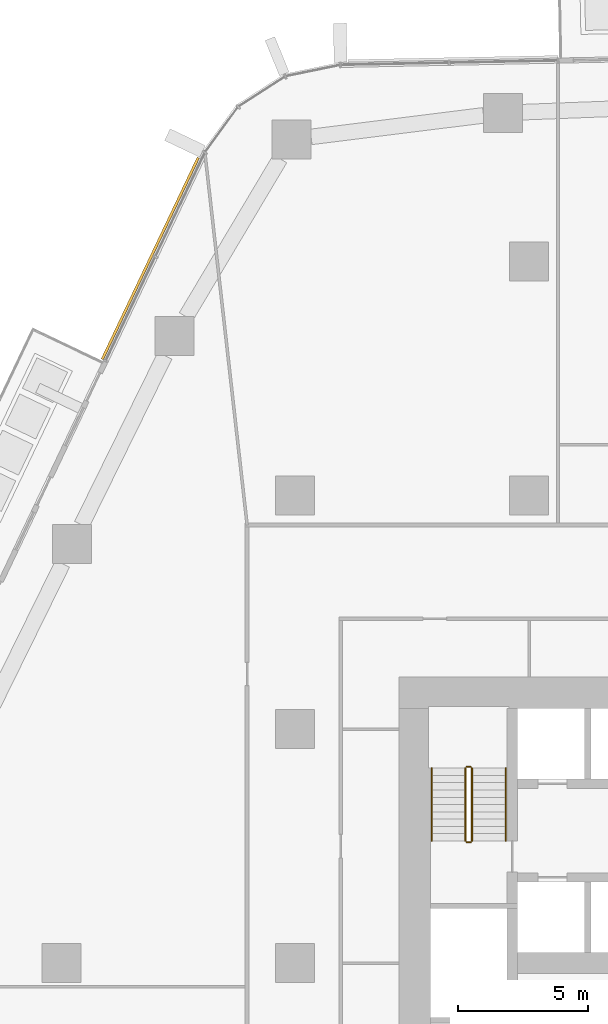
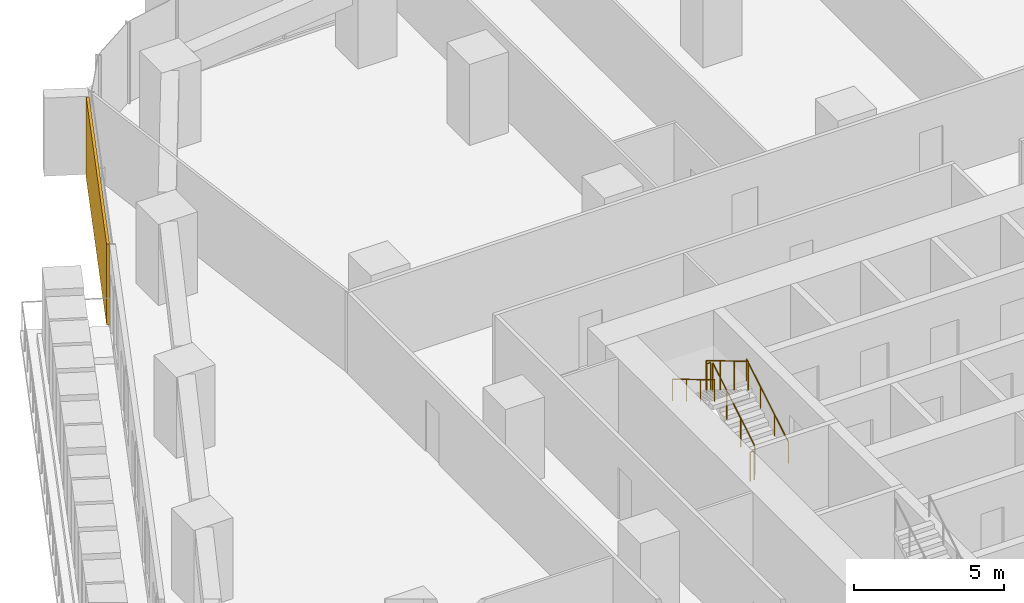
# One storey, part 22 of 24: 6 railings, 1 covering, 1 element without a shape of its own.
"""IFC4 building model written with IfcOpenShell, lengths in metres."""

from ifc_helpers import new_model, si_unit, direction, frame, origin, origin_2d, place, context, subcontext, project, spatial, rectangle, circle, extrude, material, layer, layer_set, type_object, element, aggregate, save


model = new_model("IFC4")

# Units and contexts
model_context = context("Model", 3, precision=1e-05, world=origin(), true_north=direction((0.0, 1.0)))
body_context = subcontext(model_context, "Body", "Model", "MODEL_VIEW")
ifc_project = project(units=[si_unit("LENGTHUNIT", "METRE"), si_unit("AREAUNIT", "SQUARE_METRE"), si_unit("VOLUMEUNIT", "CUBIC_METRE"), si_unit("PLANEANGLEUNIT", "RADIAN"), si_unit("MASSUNIT", "GRAM", prefix="KILO")], contexts=[model_context])

# Site, building, storey
site_placement = place(None, origin())
site = spatial("IfcSite", under=ifc_project, at=site_placement, CompositionType="ELEMENT")
building_placement = place(site_placement, origin())
building = spatial("IfcBuilding", under=site, at=building_placement, Name="Dongbaek Canopy Tower", CompositionType="ELEMENT")
storey_placement = place(building_placement, frame((0.0, 0.0, 47.699951171875)))
storey = spatial("IfcBuildingStorey", under=building, at=storey_placement, Name="L07", CompositionType="ELEMENT", Elevation=47.699951171875)

# Curtain wall, covering
ifc_material_1 = material(Name="Aluminium 6063-T6 pale anodised", Category="aluminium")
ifc_layer_1 = layer(ifc_material_1, 0.199951171875)
ifc_layer_set_1 = layer_set([ifc_layer_1], Name="CW-1 unitised tower curtain wall")
curtain_wall_type = type_object("IfcCurtainWallType", Name="CW-1 unitised tower curtain wall", PredefinedType="NOTDEFINED", material=ifc_layer_set_1)
curtain_wall_placement = place(storey_placement, origin())
curtain_wall = element("IfcCurtainWall", 1, at=curtain_wall_placement, inside=storey, type_object=curtain_wall_type, Name="CW-1 curtain wall F2.1", PredefinedType="NOTDEFINED")
ifc_material_2 = material(Name="Perforated aluminium 6063-T6 pale metal screen", Category="aluminium")
ifc_layer_2 = layer(ifc_material_2, 0.10009765625)
ifc_layer_set_2 = layer_set([ifc_layer_2], Name="Facet screen FS1 100 pale metal")
covering_type = type_object("IfcCoveringType", Name="Facet screen FS1 100 pale metal", PredefinedType="CLADDING", material=ifc_layer_set_2)
covering_placement = place(storey_placement, frame((-23.57958984375, 27.111083984375, 0.0), z_axis=(0.0, 0.0, 1.0), x_axis=(-0.429789468049, -0.902929129641, 0.0)))
covering = element("IfcCovering", 2, at=covering_placement, type_object=covering_type, Name="Facet screen L07 F2", PredefinedType="CLADDING", context=body_context, shape_type="SweptSolid", body=[
    extrude(rectangle(XDim=8.594970703125, YDim=0.10009765625, at=origin_2d()), origin(), (0.0, 0.0, 1.0), 3.300048828125),
])
aggregate(curtain_wall, [covering])

# Railings
ifc_material_3 = material(Name="Stainless steel tube and balusters", Category="steel")
railing_type_1 = type_object("IfcRailingType", Name="Stair guard 1200", PredefinedType="GUARDRAIL", material=ifc_material_3)
railing_1_placement = place(storey_placement, frame((-11.199951171875, 4.699951171875, 0.168212890625)))
element("IfcRailing", 3, at=railing_1_placement, inside=storey, type_object=railing_type_1, Name="L07 ST-C stair guard 1", PredefinedType="GUARDRAIL", context=body_context, shape_type="SweptSolid", body=[
    extrude(circle(Radius=0.02392578125, at=origin_2d()), frame((0.0, 0.0, 1.17578125), z_axis=(0.0, 0.857242210791, 0.514913383045), x_axis=(-1.0, 0.0, 0.0)), (0.0, 0.0, 1.0), 3.266357421875),
    extrude(circle(Radius=0.02099609375, at=origin_2d()), origin(), (0.0, 0.0, 1.0), 1.15185546875),
    extrude(circle(Radius=0.02099609375, at=origin_2d()), frame((0.0, 0.933349609375, 0.560546875)), (0.0, 0.0, 1.0), 1.15185546875),
    extrude(circle(Radius=0.02099609375, at=origin_2d()), frame((0.0, 1.86669921875, 1.121337890625)), (0.0, 0.0, 1.0), 1.15185546875),
    extrude(circle(Radius=0.02099609375, at=origin_2d()), frame((0.0, 2.800048828125, 1.681884765625)), (0.0, 0.0, 1.0), 1.15185546875),
])
railing_2_placement = place(storey_placement, frame((-11.25, 7.550048828125, 1.85009765625)))
element("IfcRailing", 4, at=railing_2_placement, inside=storey, type_object=railing_type_1, Name="L07 ST-C stair guard 2", PredefinedType="GUARDRAIL", context=body_context, shape_type="SweptSolid", body=[
    extrude(circle(Radius=0.02392578125, at=origin_2d()), frame((0.0, 0.0, 1.17578125), z_axis=(-1.0, 0.0, 0.0), x_axis=(0.0, -1.0, 0.0)), (0.0, 0.0, 1.0), 0.14990234375),
    extrude(circle(Radius=0.02099609375, at=origin_2d()), origin(), (0.0, 0.0, 1.0), 1.15185546875),
    extrude(circle(Radius=0.02099609375, at=origin_2d()), frame((-0.14990234375, 0.0, 0.0)), (0.0, 0.0, 1.0), 1.15185546875),
])
railing_3_placement = place(storey_placement, frame((-11.449951171875, 7.5, 2.018310546875)))
element("IfcRailing", 5, at=railing_3_placement, inside=storey, type_object=railing_type_1, Name="L07 ST-C stair guard 3", PredefinedType="GUARDRAIL", context=body_context, shape_type="SweptSolid", body=[
    extrude(circle(Radius=0.02392578125, at=origin_2d()), frame((0.0, 0.0, 1.17578125), z_axis=(0.0, -0.857275202839, 0.514858452973), x_axis=(1.0, 0.0, 0.0)), (0.0, 0.0, 1.0), 3.26611328125),
    extrude(circle(Radius=0.02099609375, at=origin_2d()), origin(), (0.0, 0.0, 1.0), 1.15185546875),
    extrude(circle(Radius=0.02099609375, at=origin_2d()), frame((0.0, -0.933349609375, 0.560546875)), (0.0, 0.0, 1.0), 1.15185546875),
    extrude(circle(Radius=0.02099609375, at=origin_2d()), frame((0.0, -1.86669921875, 1.12109375)), (0.0, 0.0, 1.0), 1.15185546875),
    extrude(circle(Radius=0.02099609375, at=origin_2d()), frame((0.0, -2.800048828125, 1.681640625)), (0.0, 0.0, 1.0), 1.15185546875),
])
railing_4_placement = place(storey_placement, frame((-11.25, 4.64990234375, 0.0)))
element("IfcRailing", 6, at=railing_4_placement, inside=storey, type_object=railing_type_1, Name="L07 ST-C stair guard 4", PredefinedType="GUARDRAIL", context=body_context, shape_type="SweptSolid", body=[
    extrude(circle(Radius=0.02392578125, at=origin_2d()), frame((0.0, 0.0, 1.17578125), z_axis=(-1.0, 0.0, 0.0), x_axis=(0.0, -1.0, 0.0)), (0.0, 0.0, 1.0), 0.14990234375),
    extrude(circle(Radius=0.02099609375, at=origin_2d()), origin(), (0.0, 0.0, 1.0), 1.15185546875),
    extrude(circle(Radius=0.02099609375, at=origin_2d()), frame((-0.14990234375, 0.0, 0.0)), (0.0, 0.0, 1.0), 1.15185546875),
])
ifc_material_4 = material(Name="Stainless steel tube", Category="steel")
railing_type_2 = type_object("IfcRailingType", Name="Stair handrail 900", PredefinedType="HANDRAIL", material=ifc_material_4)
railing_5_placement = place(storey_placement, frame((-9.89990234375, 4.699951171875, 0.168212890625)))
element("IfcRailing", 7, at=railing_5_placement, inside=storey, type_object=railing_type_2, Name="L07 ST-C stair handrail 1", PredefinedType="HANDRAIL", context=body_context, shape_type="SweptSolid", body=[
    extrude(circle(Radius=0.02392578125, at=origin_2d()), frame((0.0, 0.0, 0.8759765625), z_axis=(0.0, 0.857242210791, 0.514913383045), x_axis=(-1.0, 0.0, 0.0)), (0.0, 0.0, 1.0), 3.266357421875),
    extrude(circle(Radius=0.02099609375, at=origin_2d()), origin(), (0.0, 0.0, 1.0), 0.851806640625),
    extrude(circle(Radius=0.02099609375, at=origin_2d()), frame((0.0, 0.933349609375, 0.560546875)), (0.0, 0.0, 1.0), 0.851806640625),
    extrude(circle(Radius=0.02099609375, at=origin_2d()), frame((0.0, 1.86669921875, 1.121337890625)), (0.0, 0.0, 1.0), 0.851806640625),
    extrude(circle(Radius=0.02099609375, at=origin_2d()), frame((0.0, 2.800048828125, 1.681884765625)), (0.0, 0.0, 1.0), 0.851806640625),
])
railing_6_placement = place(storey_placement, frame((-12.75, 7.5, 2.018310546875)))
element("IfcRailing", 8, at=railing_6_placement, inside=storey, type_object=railing_type_2, Name="L07 ST-C stair handrail 2", PredefinedType="HANDRAIL", context=body_context, shape_type="SweptSolid", body=[
    extrude(circle(Radius=0.02392578125, at=origin_2d()), frame((0.0, 0.0, 0.8759765625), z_axis=(0.0, -0.857275202839, 0.514858452973), x_axis=(1.0, 0.0, 0.0)), (0.0, 0.0, 1.0), 3.26611328125),
    extrude(circle(Radius=0.02099609375, at=origin_2d()), origin(), (0.0, 0.0, 1.0), 0.851806640625),
    extrude(circle(Radius=0.02099609375, at=origin_2d()), frame((0.0, -0.933349609375, 0.560546875)), (0.0, 0.0, 1.0), 0.851806640625),
    extrude(circle(Radius=0.02099609375, at=origin_2d()), frame((0.0, -1.86669921875, 1.12109375)), (0.0, 0.0, 1.0), 0.851806640625),
    extrude(circle(Radius=0.02099609375, at=origin_2d()), frame((0.0, -2.800048828125, 1.681640625)), (0.0, 0.0, 1.0), 0.851806640625),
])

save(model, "model.ifc")
